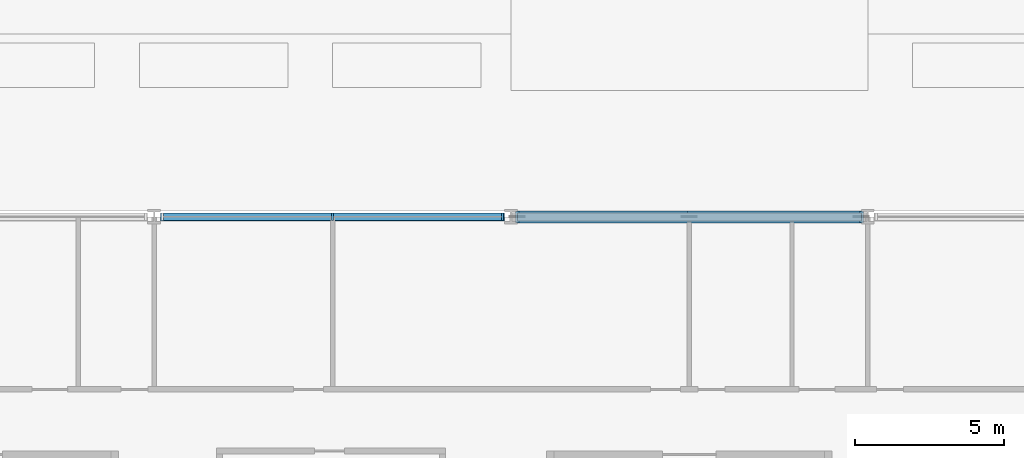
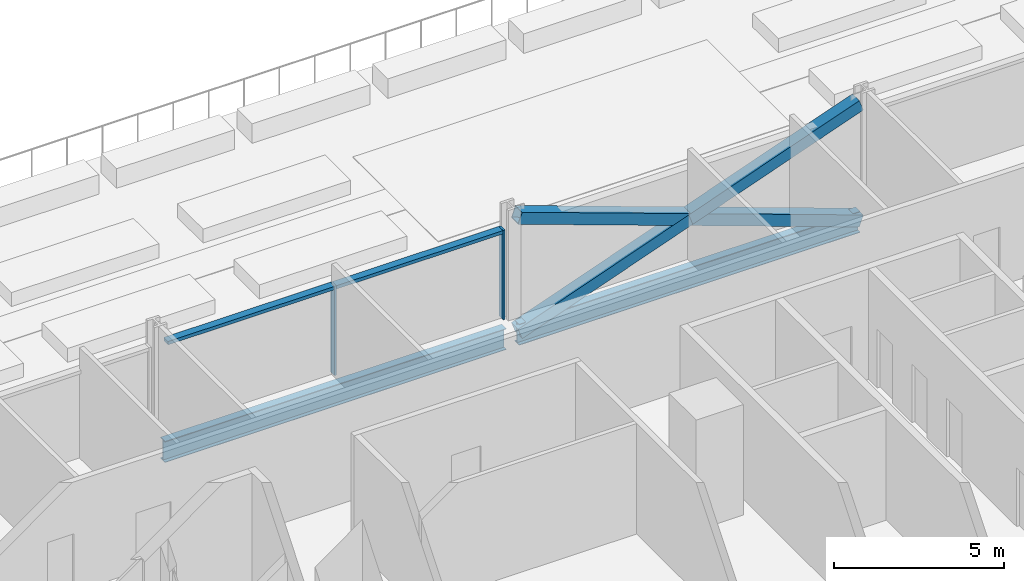
# One storey, part 5 of 39: 7 members, 2 beams, 1 element without a shape of its own.
"""IFC4 building model written with IfcOpenShell, lengths in metres."""

from ifc_helpers import new_model, si_unit, direction, frame, origin, origin_2d, place, context, subcontext, project, spatial, rectangle, hollow_rectangle, i_section, extrude, material, material_profile, profile_set, type_object, element, aggregate, save


model = new_model("IFC4")

# Units and contexts
model_context = context("Model", 3, precision=1e-05, world=origin(), true_north=direction((0.0, 1.0)))
body_context = subcontext(model_context, "Body", "Model", "MODEL_VIEW")
ifc_project = project(units=[si_unit("LENGTHUNIT", "METRE"), si_unit("AREAUNIT", "SQUARE_METRE"), si_unit("VOLUMEUNIT", "CUBIC_METRE"), si_unit("PLANEANGLEUNIT", "RADIAN"), si_unit("MASSUNIT", "GRAM", prefix="KILO")], contexts=[model_context])

# Site, building, storey
site_placement = place(None, origin())
site = spatial("IfcSite", under=ifc_project, at=site_placement, CompositionType="ELEMENT")
building_placement = place(site_placement, origin())
building = spatial("IfcBuilding", under=site, at=building_placement, Name="Mahtab Terrace Research Tower", CompositionType="ELEMENT")
storey_placement = place(building_placement, frame((0.0, 0.0, 7.199951171875)))
storey = spatial("IfcBuildingStorey", under=building, at=storey_placement, Name="L01", CompositionType="ELEMENT", Elevation=7.199951171875)

# Members
ifc_material_1 = material(Name="Steel ASTM A500 Gr C", Category="steel")
ifc_material_profile_1 = material_profile(ifc_material_1, hollow_rectangle(XDim=0.406494140625, YDim=0.406494140625, WallThickness=0.01904296875, at=origin_2d()), Name="HSS16X16X3/4")
ifc_profile_set_1 = profile_set([ifc_material_profile_1], Name="Steel ASTM A500 Gr C")
member_type_1 = type_object("IfcMemberType", Name="HSS 16x16x3/4 brace XB161634", PredefinedType="BRACE", material=ifc_profile_set_1)
member_1_placement = place(storey_placement, frame((5.7841796875, 23.0, -0.64111328125), z_axis=(-0.941388097231, 0.0, 0.337325436917), x_axis=(0.0, -1.0, 0.0)))
element("IfcMember", 1, at=member_1_placement, inside=storey, type_object=member_type_1, Name="Exoskeleton brace L01 04 a", PredefinedType="BRACE", context=body_context, shape_type="SweptSolid", body=[
    extrude(hollow_rectangle(XDim=0.406494140625, YDim=0.406494140625, WallThickness=0.01904296875, at=origin_2d()), origin(), (0.0, 0.0, 1.0), 12.28857421875),
])
for number, where, z_axis, x_axis, name in (
    (2, (-5.7841796875, 23.0, -0.64111328125), (0.941381788192, 0.0, 0.337343043295), (0.0, 1.0, 0.0), "Exoskeleton brace L01 04 b1"),
    (3, (0.0, 23.0, 1.431640625), (0.941394406025, 0.0, 0.337307830185), (0.0, 1.0, 0.0), "Exoskeleton brace L01 04 b2"),
):
    element("IfcMember", number, at=place(storey_placement, frame(where, z_axis=z_axis, x_axis=x_axis)), inside=storey, type_object=member_type_1, Name=name, PredefinedType="BRACE", context=body_context, shape_type="SweptSolid", body=[
        extrude(hollow_rectangle(XDim=0.406494140625, YDim=0.406494140625, WallThickness=0.01904296875, at=origin_2d()), origin(), (0.0, 0.0, 1.0), 6.144287109375),
    ])

# Curtain wall, members
ifc_material_2 = material(Name="Sky lounge full-height curtain wall")
curtain_wall_type = type_object("IfcCurtainWallType", Name="Sky lounge full-height curtain wall", PredefinedType="NOTDEFINED", material=ifc_material_2)
curtain_wall_placement = place(storey_placement, origin())
curtain_wall = element("IfcCurtainWall", 4, at=curtain_wall_placement, inside=storey, type_object=curtain_wall_type, Name="EN.L01.3.7", PredefinedType="NOTDEFINED")
ifc_material_3 = material(Name="Natural anodised aluminium", Category="aluminium")
ifc_material_profile_2 = material_profile(ifc_material_3, rectangle(XDim=0.25, YDim=0.070068359375, at=origin_2d()), Name="MULLION 70x250")
ifc_profile_set_2 = profile_set([ifc_material_profile_2], Name="Natural anodised aluminium")
member_type_2 = type_object("IfcMemberType", Name="Sky lounge full-height curtain wall mullion", PredefinedType="MULLION", material=ifc_profile_set_2)
member_2_placement = place(storey_placement, frame((-6.283935546875, 23.0, 0.0), z_axis=(0.0, 0.0, 1.0), x_axis=(0.0, -1.0, 0.0)))
member_2 = element("IfcMember", 5, at=member_2_placement, type_object=member_type_2, Name="CWS-1 mullion 1", PredefinedType="MULLION", context=body_context, shape_type="SweptSolid", body=[
    extrude(rectangle(XDim=0.25, YDim=0.070068359375, at=origin_2d()), origin(), (0.0, 0.0, 1.0), 3.203125),
])
member_3_placement = place(storey_placement, frame((-12.0, 23.0, 0.0), z_axis=(0.0, 0.0, 1.0), x_axis=(0.0, -1.0, 0.0)))
member_3 = element("IfcMember", 6, at=member_3_placement, type_object=member_type_2, Name="CWS-1 mullion 2", PredefinedType="MULLION", context=body_context, shape_type="SweptSolid", body=[
    extrude(rectangle(XDim=0.25, YDim=0.070068359375, at=origin_2d()), origin(), (0.0, 0.0, 1.0), 3.203125),
])
ifc_material_profile_3 = material_profile(ifc_material_3, rectangle(XDim=0.25, YDim=0.1201171875, at=origin_2d()), Name="TRANSOM 120x250")
ifc_profile_set_3 = profile_set([ifc_material_profile_3], Name="Natural anodised aluminium")
member_type_3 = type_object("IfcMemberType", Name="Sky lounge full-height curtain wall transom", PredefinedType="USERDEFINED", material=ifc_profile_set_3)
member_4_placement = place(storey_placement, frame((-6.319091796875, 23.0, 3.14306640625), z_axis=(-1.0, 0.0, 0.0), x_axis=(0.0, -1.0, 0.0)))
member_4 = element("IfcMember", 7, at=member_4_placement, type_object=member_type_3, Name="CWS-1 transom 1", ObjectType="TRANSOM", PredefinedType="USERDEFINED", context=body_context, shape_type="SweptSolid", body=[
    extrude(rectangle(XDim=0.25, YDim=0.1201171875, at=origin_2d()), origin(), (0.0, 0.0, 1.0), 5.64599609375),
])
member_5_placement = place(storey_placement, frame((-12.034912109375, 23.0, 3.14306640625), z_axis=(-1.0, 0.0, 0.0), x_axis=(0.0, -1.0, 0.0)))
member_5 = element("IfcMember", 8, at=member_5_placement, type_object=member_type_3, Name="CWS-1 transom 2", ObjectType="TRANSOM", PredefinedType="USERDEFINED", context=body_context, shape_type="SweptSolid", body=[
    extrude(rectangle(XDim=0.25, YDim=0.1201171875, at=origin_2d()), origin(), (0.0, 0.0, 1.0), 5.64599609375),
])
aggregate(curtain_wall, [member_2, member_3, member_4, member_5])

# Beams
ifc_material_4 = material(Name="Steel ASTM A992 Gr 50", Category="steel")
ifc_material_profile_4 = material_profile(ifc_material_4, i_section(OverallWidth=0.2666015625, OverallDepth=0.7568359375, WebThickness=0.013916015625, FlangeThickness=0.019287109375, at=origin_2d()), Name="W30X108")
ifc_profile_set_4 = profile_set([ifc_material_profile_4], Name="Steel ASTM A992 Gr 50")
beam_type = type_object("IfcBeamType", Name="W30x108 beam BS30108", PredefinedType="BEAM", material=ifc_profile_set_4)
for number, where, z_axis, x_axis, name in (
    (9, (5.7841796875, 23.0, -0.718505859375), (-1.0, 0.0, 0.0), (0.0, -1.0, 0.0), "Spandrel beam L01 04"),
    (10, (-6.2158203125, 23.0, -0.718505859375), (-1.0, 0.0, 0.0), (0.0, -1.0, 0.0), "Spandrel beam L01 05"),
):
    element("IfcBeam", number, at=place(storey_placement, frame(where, z_axis=z_axis, x_axis=x_axis)), inside=storey, type_object=beam_type, Name=name, PredefinedType="BEAM", context=body_context, shape_type="SweptSolid", body=[
        extrude(i_section(OverallWidth=0.2666015625, OverallDepth=0.7568359375, WebThickness=0.013916015625, FlangeThickness=0.019287109375, at=origin_2d()), origin(), (0.0, 0.0, 1.0), 11.568359375),
    ])

save(model, "model.ifc")
